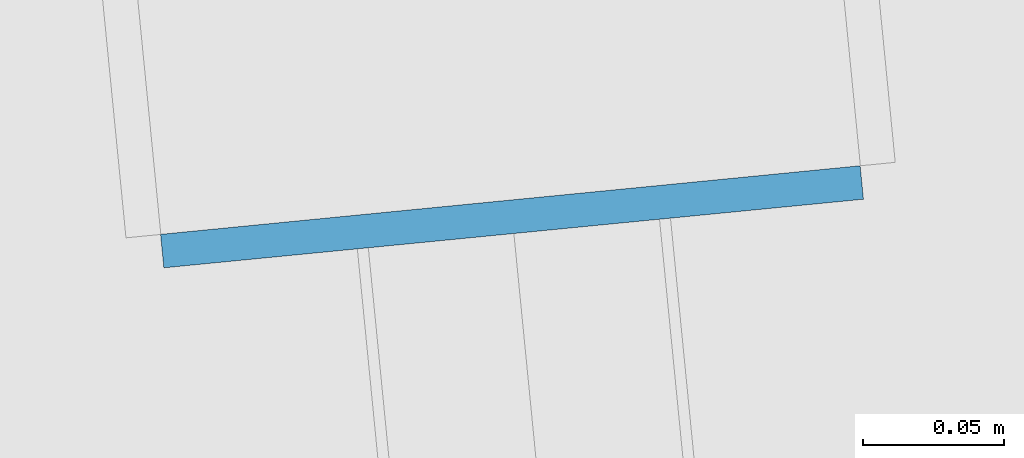
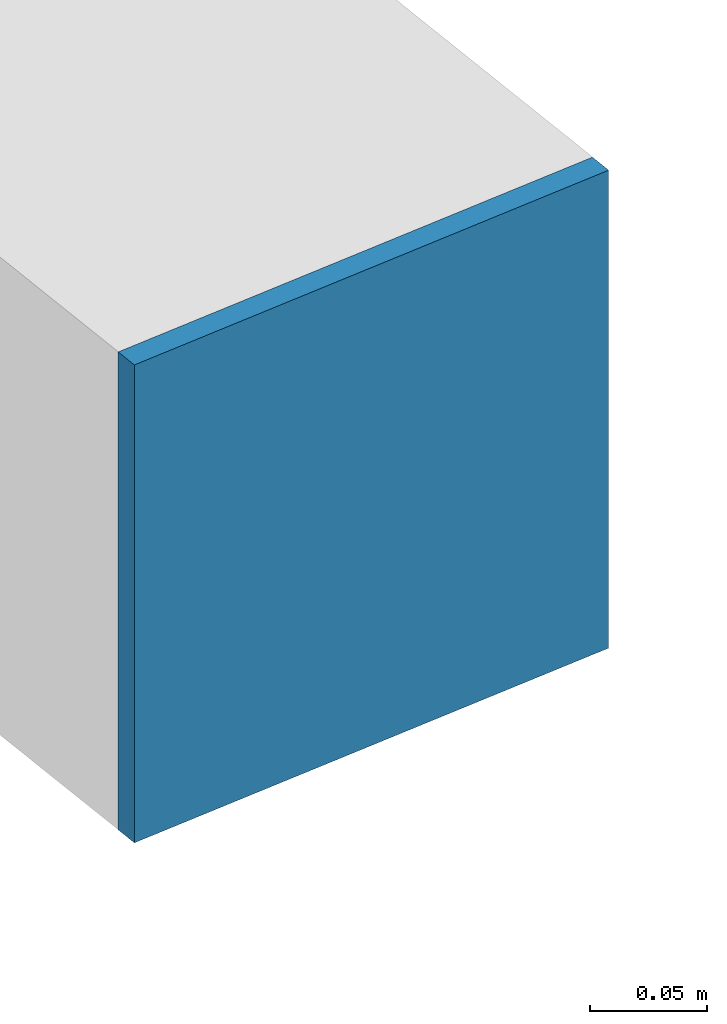
# One storey, part 39 of 52: 1 plate.
"""IFC4 building model written with IfcOpenShell, lengths in metres."""

import ifcopenshell
import ifcopenshell.guid

model = None  # the IFC model being written
_history = None  # IfcOwnerHistory: only IFC2X3 demands one
_inside = {}  # id of a spatial element -> (the spatial element, [elements in it])
_under = {}  # id of a project, library or spatial element -> (it, [spatial elements below it])
_declared = {}  # id of a project -> (the project, [libraries it declares])
_typed = {}  # id of a type object -> (the type object, [elements of that type])
_made_of = {}  # id of a material, layer set ... -> (it, [elements and type objects made of it])


def new_model(schema):
    """Start an empty IFC model of exactly this schema.

    Asked for "IFC4X3", IfcOpenShell would pick the latest addendum, in which some entities
    have other attributes; the version numbers below select the first issue.
    IFC2X3 requires an IfcOwnerHistory on every rooted entity: one is made here for all.
    """
    global model, _history
    if schema == "IFC4X3":
        model = ifcopenshell.file(schema_version=(4, 3, 0, 0))
    else:
        model = ifcopenshell.file(schema=schema)
    _inside.clear()
    _under.clear()
    _declared.clear()
    _typed.clear()
    _made_of.clear()
    _history = None
    if model.schema == "IFC2X3":
        org = make("IfcOrganization", Name="unknown")
        user = make(
            "IfcPersonAndOrganization",
            ThePerson=make("IfcPerson", FamilyName="unknown"),
            TheOrganization=org,
        )
        app = make(
            "IfcApplication",
            ApplicationDeveloper=org,
            Version="unknown",
            ApplicationFullName="unknown",
            ApplicationIdentifier="unknown",
        )
        _history = make(
            "IfcOwnerHistory",
            OwningUser=user,
            OwningApplication=app,
            ChangeAction="ADDED",
            CreationDate=0,
        )
    return model


def make(cls, **values):
    """One entity of the class cls with the attributes given. An attribute that is None is left unset."""
    return model.create_entity(
        cls, **{name: value for name, value in values.items() if value is not None}
    )


def rooted(cls, **values):
    """An entity with a GlobalId (a new one), such as an element, a storey or a relation."""
    return make(cls, GlobalId=ifcopenshell.guid.new(), OwnerHistory=_history, **values)


def si_unit(unit_type, name, prefix=None):
    """IfcSIUnit, for example si_unit("LENGTHUNIT", "METRE", prefix="MILLI")."""
    return make("IfcSIUnit", UnitType=unit_type, Prefix=prefix, Name=name)


def assignment(units):
    """IfcUnitAssignment: the units of a project."""
    return None if units is None else make("IfcUnitAssignment", Units=units)


def point(xyz):
    """IfcCartesianPoint."""
    return None if xyz is None else make("IfcCartesianPoint", Coordinates=xyz)


def direction(xyz):
    """IfcDirection."""
    return None if xyz is None else make("IfcDirection", DirectionRatios=xyz)


def frame(location, z_axis=None, x_axis=None):
    """IfcAxis2Placement3D, a coordinate frame: its origin and axes. An axis left out is left unset."""
    return make(
        "IfcAxis2Placement3D",
        Location=point(location),
        Axis=direction(z_axis),
        RefDirection=direction(x_axis),
    )


def frame_2d(location, x_axis=None):
    """IfcAxis2Placement2D, a coordinate frame in the plane: its origin and x axis."""
    return make(
        "IfcAxis2Placement2D", Location=point(location), RefDirection=direction(x_axis)
    )


def origin():
    """The frame at (0, 0, 0) with its axes left unset."""
    return frame((0.0, 0.0, 0.0))


def origin_2d():
    """The frame at (0, 0) in the plane with its x axis left unset."""
    return frame_2d((0.0, 0.0))


def place(relative_to, where):
    """IfcLocalPlacement: puts the frame where relative to a parent placement (None: the world)."""
    return make(
        "IfcLocalPlacement", PlacementRelTo=relative_to, RelativePlacement=where
    )


def context(
    kind, dimensions, precision=None, world=None, true_north=None, identifier=None
):
    """IfcGeometricRepresentationContext, for example the 3D "Model" context."""
    return make(
        "IfcGeometricRepresentationContext",
        ContextIdentifier=identifier,
        ContextType=kind,
        CoordinateSpaceDimension=dimensions,
        Precision=precision,
        WorldCoordinateSystem=world,
        TrueNorth=true_north,
    )


def subcontext(parent, identifier, kind, view, scale=None):
    """IfcGeometricRepresentationSubContext, for example "Body" below "Model"."""
    return make(
        "IfcGeometricRepresentationSubContext",
        ContextIdentifier=identifier,
        ContextType=kind,
        ParentContext=parent,
        TargetScale=scale,
        TargetView=view,
    )


def project(units=None, contexts=None):
    """IfcProject with its units and contexts."""
    return rooted(
        "IfcProject",
        Name="project",
        RepresentationContexts=contexts,
        UnitsInContext=assignment(units),
    )


def spatial(cls, under=None, at=None, **own):
    """A site, building, storey or space (cls), placed at a placement, below another one or the project."""
    s = rooted(cls, ObjectPlacement=at, **own)
    if under is not None:
        _under.setdefault(under.id(), (under, []))[1].append(s)
    return s


def profile(cls, at=None, kind="AREA", **sizes):
    """A parametric profile (cls). Its sizes go by their IFC names, for example OverallWidth=200.0."""
    return make(cls, ProfileType=kind, Position=at, **sizes)


def rectangle(**sizes):
    """IfcRectangleProfileDef."""
    return profile("IfcRectangleProfileDef", **sizes)


def extrude(swept, where, along, depth):
    """IfcExtrudedAreaSolid: the profile swept, set in the frame where, extruded along a direction by depth."""
    return make(
        "IfcExtrudedAreaSolid",
        SweptArea=swept,
        Position=where,
        ExtrudedDirection=direction(along),
        Depth=depth,
    )


def shape(context_of_items, identifier, shape_type, items):
    """IfcShapeRepresentation: the items that make up one representation, for example the "Body"."""
    return make(
        "IfcShapeRepresentation",
        ContextOfItems=context_of_items,
        RepresentationIdentifier=identifier,
        RepresentationType=shape_type,
        Items=items,
    )


def source(mapping_origin, context_of_items, identifier, shape_type, items):
    """IfcRepresentationMap: a shape defined once, which mapped items show again and again."""
    return make(
        "IfcRepresentationMap",
        MappingOrigin=mapping_origin,
        MappedRepresentation=shape(context_of_items, identifier, shape_type, items),
    )


def transform(
    local_origin,
    x_axis=None,
    y_axis=None,
    z_axis=None,
    scale=None,
    scale2=None,
    scale3=None,
    uniform=True,
):
    """IfcCartesianTransformationOperator3D, or its non-uniform kind. x_axis, y_axis, z_axis: its Axis1, 2, 3."""
    if uniform:
        return make(
            "IfcCartesianTransformationOperator3D",
            Axis1=direction(x_axis),
            Axis2=direction(y_axis),
            LocalOrigin=point(local_origin),
            Scale=scale,
            Axis3=direction(z_axis),
        )
    return make(
        "IfcCartesianTransformationOperator3DnonUniform",
        Axis1=direction(x_axis),
        Axis2=direction(y_axis),
        LocalOrigin=point(local_origin),
        Scale=scale,
        Axis3=direction(z_axis),
        Scale2=scale2,
        Scale3=scale3,
    )


def mapped(mapping_source, mapping_target):
    """IfcMappedItem: shows the shape of a source again, moved by a transform."""
    return make(
        "IfcMappedItem", MappingSource=mapping_source, MappingTarget=mapping_target
    )


def material(Name=None, Category=None):
    """IfcMaterial."""
    return make("IfcMaterial", Name=Name, Category=Category)


def layer(
    of_material, thickness, ventilated=None, Name=None, Category=None, Priority=None
):
    """IfcMaterialLayer: one layer of a wall or slab, of a material (None: an air gap)."""
    return make(
        "IfcMaterialLayer",
        Material=of_material,
        LayerThickness=thickness,
        IsVentilated=ventilated,
        Name=Name,
        Category=Category,
        Priority=Priority,
    )


def layer_set(layers, Name=None):
    """IfcMaterialLayerSet."""
    return make("IfcMaterialLayerSet", MaterialLayers=layers, LayerSetName=Name)


def made_of(thing, what):
    """Note that an element or type object is made of a material, layer set ...; save() writes the relation."""
    if what is not None:
        _made_of.setdefault(what.id(), (what, []))[1].append(thing)
    return thing


def type_object(cls, material=None, **own):
    """A type object (cls), such as IfcWallType, which elements share."""
    return made_of(rooted(cls, **own), material)


def element(
    cls,
    number,
    at=None,
    inside=None,
    cuts=None,
    type_object=None,
    material=None,
    context=None,
    identifier="Body",
    shape_type=None,
    held_by="IfcProductDefinitionShape",
    body=None,
    shapes=None,
    **own,
):
    """One element of the class cls, such as IfcWall. Its Tag is "e" and its number.

    at: its placement. inside: the storey or other place that contains it. cuts: it is an
    opening in that element (IfcRelVoidsElement). A single representation is given by context,
    identifier, shape_type and body (its items); several are given by shapes. held_by: the class
    of the entity that holds the representations. save() writes the other relations.
    """
    e = rooted(cls, Tag="e%d" % number, ObjectPlacement=at, **own)
    if body is not None:
        shapes = [shape(context, identifier, shape_type, body)]
    if shapes is not None:
        e.Representation = make(held_by, Representations=shapes)
    if inside is not None:
        _inside.setdefault(inside.id(), (inside, []))[1].append(e)
    if cuts is not None:
        rooted(
            "IfcRelVoidsElement", RelatingBuildingElement=cuts, RelatedOpeningElement=e
        )
    if type_object is not None:
        _typed.setdefault(type_object.id(), (type_object, []))[1].append(e)
    return made_of(e, material)


def aggregate(whole, parts):
    """IfcRelAggregates: a whole, such as a stair, and the parts it consists of."""
    return rooted("IfcRelAggregates", RelatingObject=whole, RelatedObjects=parts)


def save(model, path):
    """Write the relations noted so far, then the file.

    IfcRelAggregates (storeys below a building ...), IfcRelContainedInSpatialStructure (elements
    in a storey), IfcRelDefinesByType, IfcRelAssociatesMaterial and IfcRelDeclares: one each for
    every whole, place, type object, material and project.
    """
    for whole, parts in _under.values():
        aggregate(whole, parts)
    for where, things in _inside.values():
        rooted(
            "IfcRelContainedInSpatialStructure",
            RelatedElements=things,
            RelatingStructure=where,
        )
    for kind, things in _typed.values():
        rooted("IfcRelDefinesByType", RelatedObjects=things, RelatingType=kind)
    for what, things in _made_of.values():
        rooted("IfcRelAssociatesMaterial", RelatedObjects=things, RelatingMaterial=what)
    for by, libraries in _declared.values():
        rooted("IfcRelDeclares", RelatingContext=by, RelatedDefinitions=libraries)
    model.write(path)


model = new_model("IFC4")

# Units and contexts
model_context = context("Model", 3, precision=1e-05, world=origin(), true_north=direction((0.0, 1.0)))
body_context = subcontext(model_context, "Body", "Model", "MODEL_VIEW")
ifc_project = project(units=[si_unit("LENGTHUNIT", "METRE"), si_unit("AREAUNIT", "SQUARE_METRE"), si_unit("VOLUMEUNIT", "CUBIC_METRE"), si_unit("PLANEANGLEUNIT", "RADIAN"), si_unit("MASSUNIT", "GRAM", prefix="KILO")], contexts=[model_context])

# Site, building, storey
site_placement = place(None, origin())
site = spatial("IfcSite", under=ifc_project, at=site_placement, CompositionType="ELEMENT")
building_placement = place(site_placement, origin())
building = spatial("IfcBuilding", under=site, at=building_placement, Name="Taldren Reach Tower", CompositionType="ELEMENT")
storey_placement = place(building_placement, frame((0.0, 0.0, 96.60009765625)))
storey = spatial("IfcBuildingStorey", under=building, at=storey_placement, Name="L29", CompositionType="ELEMENT", Elevation=96.60009765625)

# Plate
ifc_material = material(Name="Steel Gr 350 (C350L0)", Category="steel")
ifc_layer = layer(ifc_material, 0.011962890625)
ifc_layer_set = layer_set([ifc_layer], Name="Steel Gr 350 (C350L0)")
plate_type = type_object("IfcPlateType", Name="PL-CAP-250", PredefinedType="SHEET", material=ifc_layer_set)
shared_shape = source(origin(), body_context, "Body", "SweptSolid", [
    extrude(rectangle(XDim=0.25, YDim=0.011962890625, at=origin_2d()), origin(), (0.0, 0.0, 1.0), 0.25),
])
plate_placement = place(storey_placement, frame((34.353515625, 0.2607421875, 0.094970703125), z_axis=(0.0, 0.0, 1.0), x_axis=(0.995227399982, 0.097582899759, 0.0)))
element("IfcPlate", 1, at=plate_placement, inside=storey, type_object=plate_type, Name="Tie strut end cap plate B2-S3 L29", PredefinedType="SHEET", context=body_context, shape_type="MappedRepresentation", body=[
    mapped(shared_shape, transform((0.0, 0.0, 0.0), scale=1.0)),
])

save(model, "model.ifc")
